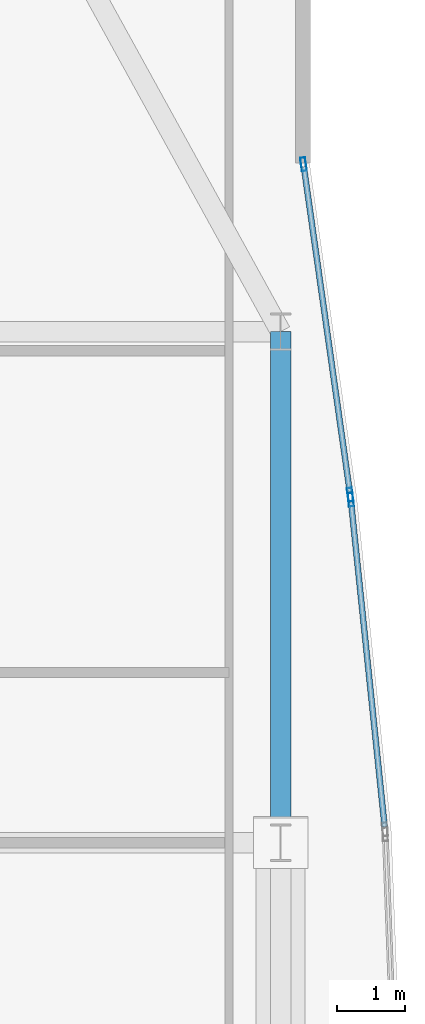
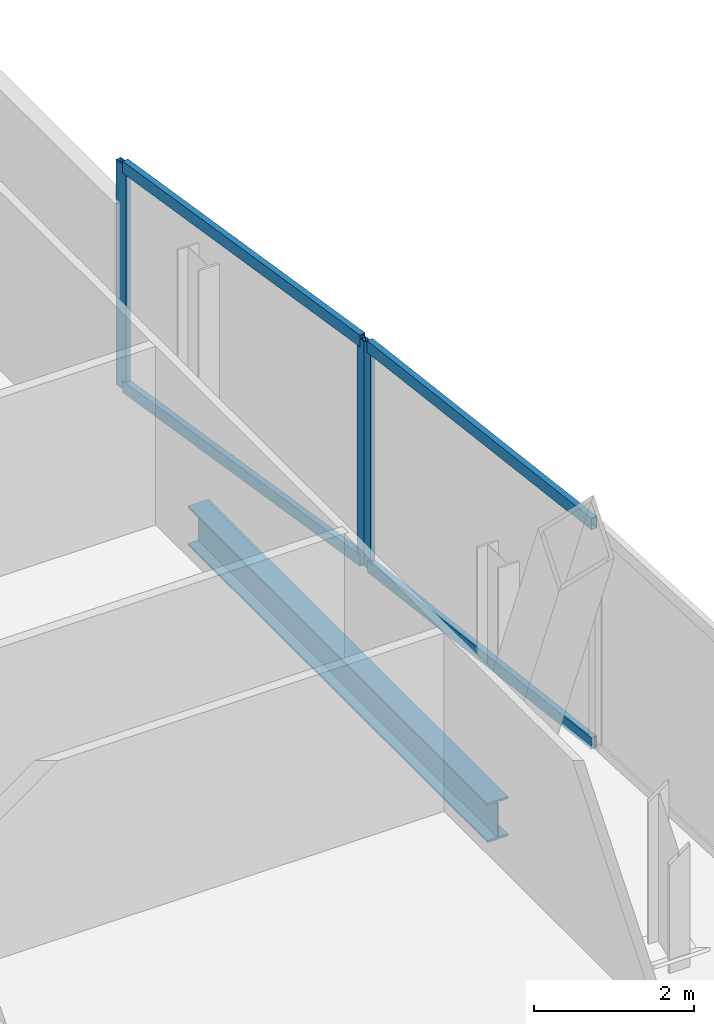
# One storey, part 23 of 30: 7 members, 1 beam, 2 elements without a shape of their own.
"""IFC4 building model written with IfcOpenShell, lengths in metres."""

from ifc_helpers import new_model, si_unit, direction, frame, origin, origin_2d, place, context, subcontext, project, spatial, hollow_rectangle, i_section, extrude, material, material_profile, profile_set, type_object, element, aggregate, save


model = new_model("IFC4")

# Units and contexts
model_context = context("Model", 3, precision=1e-05, world=origin(), true_north=direction((0.0, 1.0)))
body_context = subcontext(model_context, "Body", "Model", "MODEL_VIEW")
ifc_project = project(units=[si_unit("LENGTHUNIT", "METRE"), si_unit("AREAUNIT", "SQUARE_METRE"), si_unit("VOLUMEUNIT", "CUBIC_METRE"), si_unit("PLANEANGLEUNIT", "RADIAN"), si_unit("MASSUNIT", "GRAM", prefix="KILO")], contexts=[model_context])

# Site, building, storey
site_placement = place(None, origin())
site = spatial("IfcSite", under=ifc_project, at=site_placement, CompositionType="ELEMENT")
building_placement = place(site_placement, origin())
building = spatial("IfcBuilding", under=site, at=building_placement, Name="Khoronbel Lancet Exchange", CompositionType="ELEMENT")
storey_placement = place(building_placement, frame((0.0, 0.0, 147.0)))
storey = spatial("IfcBuildingStorey", under=building, at=storey_placement, Name="L36", CompositionType="ELEMENT", Elevation=147.0)

# Beam
ifc_material_1 = material(Name="Steel S355", Category="steel")
ifc_material_profile_1 = material_profile(ifc_material_1, i_section(OverallWidth=0.300048828125, OverallDepth=0.60009765625, WebThickness=0.015380859375, FlangeThickness=0.030029296875, at=origin_2d()), Name="HEB 600")
ifc_profile_set_1 = profile_set([ifc_material_profile_1], Name="Steel S355")
beam_type = type_object("IfcBeamType", Name="BM-BSP2", PredefinedType="SPANDREL", material=ifc_profile_set_1)
beam_placement = place(storey_placement, frame((67.6298828125, 35.699951171875, -0.4599609375), z_axis=(0.0, 1.0, 0.0), x_axis=(-1.0, 0.0, 0.0)))
element("IfcBeam", 1, at=beam_placement, inside=storey, type_object=beam_type, Name="Level L36 perimeter spandrel beam SP14", PredefinedType="SPANDREL", context=body_context, shape_type="SweptSolid", body=[
    extrude(i_section(OverallWidth=0.300048828125, OverallDepth=0.60009765625, WebThickness=0.015380859375, FlangeThickness=0.030029296875, at=origin_2d()), origin(), (0.0, 0.0, 1.0), 7.5),
])

# Curtain wall, members
ifc_material_2 = material(Name="Low-E Solar Control Insulating Glass", Category="glass")
curtain_wall_type = type_object("IfcCurtainWallType", Name="CW-4", PredefinedType="NOTDEFINED", material=ifc_material_2)
curtain_wall_1_placement = place(storey_placement, origin())
curtain_wall_1 = element("IfcCurtainWall", 2, at=curtain_wall_1_placement, inside=storey, type_object=curtain_wall_type, Name="Unitised curtain wall CW-L36-E17", PredefinedType="NOTDEFINED")
ifc_material_3 = material(Name="Bronze-Anodised Aluminium 6063-T6", Category="aluminium")
ifc_material_profile_2 = material_profile(ifc_material_3, hollow_rectangle(XDim=0.074951171875, YDim=0.199951171875, WallThickness=0.0048828125, at=origin_2d()), Name="ALU MULLION 75x200")
ifc_profile_set_2 = profile_set([ifc_material_profile_2], Name="Bronze-Anodised Aluminium 6063-T6")
member_type_1 = type_object("IfcMemberType", Name="MEM-CWM2", PredefinedType="MULLION", material=ifc_profile_set_2)
member_1_placement = place(storey_placement, frame((67.96533203125, 45.656494140625, 0.0), z_axis=(0.0, 0.0, 1.0), x_axis=(0.990158054699, 0.139953659169, 0.0)))
member_1 = element("IfcMember", 3, at=member_1_placement, type_object=member_type_1, Name="CW4 mullion 1", PredefinedType="MULLION", context=body_context, shape_type="SweptSolid", body=[
    extrude(hollow_rectangle(XDim=0.074951171875, YDim=0.199951171875, WallThickness=0.0048828125, at=origin_2d()), origin(), (0.0, 0.0, 1.0), 3.43994140625),
])
member_2_placement = place(storey_placement, frame((68.650390625, 40.8095703125, 0.0), z_axis=(0.0, 0.0, 1.0), x_axis=(0.990158054699, 0.139953659169, 0.0)))
member_2 = element("IfcMember", 4, at=member_2_placement, type_object=member_type_1, Name="CW4 mullion 2", PredefinedType="MULLION", context=body_context, shape_type="SweptSolid", body=[
    extrude(hollow_rectangle(XDim=0.074951171875, YDim=0.199951171875, WallThickness=0.0048828125, at=origin_2d()), origin(), (0.0, 0.0, 1.0), 3.43994140625),
])

# Curtain wall, member
curtain_wall_2_placement = place(storey_placement, origin())
curtain_wall_2 = element("IfcCurtainWall", 5, at=curtain_wall_2_placement, inside=storey, type_object=curtain_wall_type, Name="Unitised curtain wall CW-L36-E18", PredefinedType="NOTDEFINED")
member_3_placement = place(storey_placement, frame((68.659423828125, 40.735107421875, 0.0), z_axis=(0.0, 0.0, 1.0), x_axis=(0.994688434151, 0.10293162277, 0.0)))
member_3 = element("IfcMember", 6, at=member_3_placement, type_object=member_type_1, Name="CW4 mullion 1", PredefinedType="MULLION", context=body_context, shape_type="SweptSolid", body=[
    extrude(hollow_rectangle(XDim=0.074951171875, YDim=0.199951171875, WallThickness=0.0048828125, at=origin_2d()), origin(), (0.0, 0.0, 1.0), 3.43994140625),
])

# Member
ifc_material_profile_3 = material_profile(ifc_material_3, hollow_rectangle(XDim=0.0849609375, YDim=0.179931640625, WallThickness=0.0048828125, at=origin_2d()), Name="ALU TRANSOM 85x180")
ifc_profile_set_3 = profile_set([ifc_material_profile_3], Name="Bronze-Anodised Aluminium 6063-T6")
member_type_2 = type_object("IfcMemberType", Name="MEM-CWT1", PredefinedType="USERDEFINED", material=ifc_profile_set_3)
member_4_placement = place(storey_placement, frame((67.970458984375, 45.619384765625, 0.04248046875), z_axis=(0.139946267922, -0.990159099385, 0.0), x_axis=(0.990159099385, 0.139946267922, 0.0)))
member_4 = element("IfcMember", 7, at=member_4_placement, type_object=member_type_2, Name="CW4 transom 1.1", ObjectType="TRANSOM", PredefinedType="USERDEFINED", context=body_context, shape_type="SweptSolid", body=[
    extrude(hollow_rectangle(XDim=0.0849609375, YDim=0.179931640625, WallThickness=0.0048828125, at=origin_2d()), origin(), (0.0, 0.0, 1.0), 4.820068359375),
])

member_5_placement = place(storey_placement, frame((67.970458984375, 45.619384765625, 3.3974609375), z_axis=(0.139946267922, -0.990159099385, 0.0), x_axis=(0.990159099385, 0.139946267922, 0.0)))
member_5 = element("IfcMember", 8, at=member_5_placement, type_object=member_type_2, Name="CW4 transom 1.2", ObjectType="TRANSOM", PredefinedType="USERDEFINED", context=body_context, shape_type="SweptSolid", body=[
    extrude(hollow_rectangle(XDim=0.0849609375, YDim=0.179931640625, WallThickness=0.0048828125, at=origin_2d()), origin(), (0.0, 0.0, 1.0), 4.820068359375),
])

aggregate(curtain_wall_1, [member_1, member_2, member_4, member_5])

member_6_placement = place(storey_placement, frame((68.663330078125, 40.69775390625, 0.04248046875), z_axis=(0.102946120532, -0.994686933797, 0.0), x_axis=(0.994686933797, 0.102946120532, 0.0)))
member_6 = element("IfcMember", 9, at=member_6_placement, type_object=member_type_2, Name="CW4 transom 1.1", ObjectType="TRANSOM", PredefinedType="USERDEFINED", context=body_context, shape_type="SweptSolid", body=[
    extrude(hollow_rectangle(XDim=0.0849609375, YDim=0.179931640625, WallThickness=0.0048828125, at=origin_2d()), origin(), (0.0, 0.0, 1.0), 4.7880859375),
])

member_7_placement = place(storey_placement, frame((68.663330078125, 40.69775390625, 3.3974609375), z_axis=(0.102946120532, -0.994686933797, 0.0), x_axis=(0.994686933797, 0.102946120532, 0.0)))
member_7 = element("IfcMember", 10, at=member_7_placement, type_object=member_type_2, Name="CW4 transom 1.2", ObjectType="TRANSOM", PredefinedType="USERDEFINED", context=body_context, shape_type="SweptSolid", body=[
    extrude(hollow_rectangle(XDim=0.0849609375, YDim=0.179931640625, WallThickness=0.0048828125, at=origin_2d()), origin(), (0.0, 0.0, 1.0), 4.7880859375),
])

aggregate(curtain_wall_2, [member_3, member_6, member_7])

save(model, "model.ifc")
